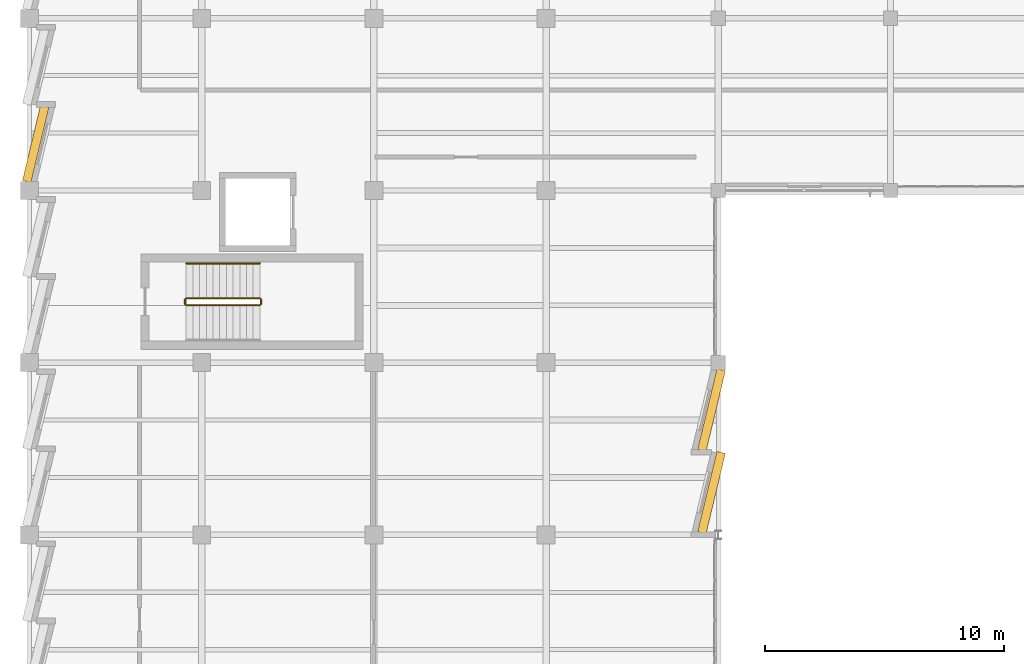
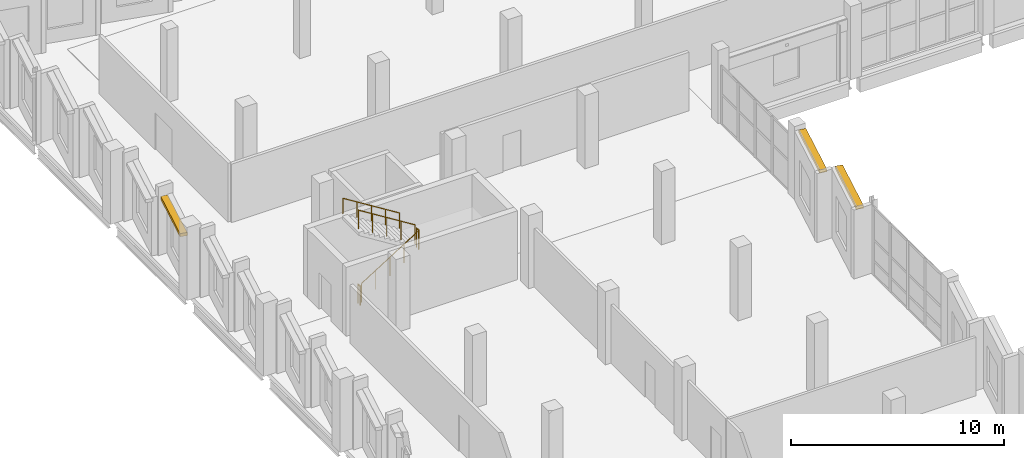
# One storey, part 86 of 94: 5 railings, 3 shading devices.
"""IFC4 building model written with IfcOpenShell, lengths in metres."""

from ifc_helpers import new_model, si_unit, direction, frame, origin, origin_2d, place, context, subcontext, project, spatial, rectangle, circle, extrude, material, layer, layer_set, type_object, element, save


model = new_model("IFC4")

# Units and contexts
model_context = context("Model", 3, precision=1e-05, world=origin(), true_north=direction((0.0, 1.0)))
body_context = subcontext(model_context, "Body", "Model", "MODEL_VIEW")
ifc_project = project(units=[si_unit("LENGTHUNIT", "METRE"), si_unit("AREAUNIT", "SQUARE_METRE"), si_unit("VOLUMEUNIT", "CUBIC_METRE"), si_unit("PLANEANGLEUNIT", "RADIAN"), si_unit("MASSUNIT", "GRAM", prefix="KILO")], contexts=[model_context])

# Site, building, storey
site_placement = place(None, origin())
site = spatial("IfcSite", under=ifc_project, at=site_placement, CompositionType="ELEMENT")
building_placement = place(site_placement, origin())
building = spatial("IfcBuilding", under=site, at=building_placement, Name="Kalmorath City Hall", CompositionType="ELEMENT")
storey_placement = place(building_placement, frame((0.0, 0.0, 14.699951171875)))
storey = spatial("IfcBuildingStorey", under=building, at=storey_placement, Name="L03", CompositionType="ELEMENT", Elevation=14.699951171875)

# Shading devices
ifc_material_1 = material(Name="Precast concrete C40/50", Category="concrete")
ifc_layer = layer(ifc_material_1, 0.179931640625)
ifc_layer_set = layer_set([ifc_layer], Name="Precast concrete C40/50")
shading_device_type = type_object("IfcShadingDeviceType", Name="Precast sawtooth brow sunshade 350", PredefinedType="USERDEFINED", material=ifc_layer_set)
shading_device_placement = place(storey_placement, frame((0.255859375, 95.541748046875, 3.15625), z_axis=(0.0, 0.0, 1.0), x_axis=(0.233445363856, 0.972369920398, 0.0)))
element("IfcShadingDevice", 1, at=shading_device_placement, inside=storey, type_object=shading_device_type, Name="L03 precast sawtooth hood #308", ObjectType="SUNSHADE", PredefinedType="USERDEFINED", context=body_context, shape_type="SweptSolid", body=[
    extrude(rectangle(XDim=3.220703125, YDim=0.360107421875, at=origin_2d()), origin(), (0.0, 0.0, 1.0), 0.179931640625),
])
for number, where, z_axis, x_axis, name in (
    (2, (28.51708984375, 84.42041015625, 3.740234375), (0.0, 0.0, 1.0), (-0.233462334877, -0.972365845859, 0.0), "L03 precast sawtooth hood #340"),
    (3, (28.51708984375, 80.970947265625, 3.740234375), (0.0, 0.0, 1.0), (-0.233462334877, -0.972365845859, 0.0), "L03 precast sawtooth hood #341"),
):
    element("IfcShadingDevice", number, at=place(storey_placement, frame(where, z_axis=z_axis, x_axis=x_axis)), inside=storey, type_object=shading_device_type, Name=name, ObjectType="SUNSHADE", PredefinedType="USERDEFINED", context=body_context, shape_type="SweptSolid", body=[
        extrude(rectangle(XDim=3.452392578125, YDim=0.360107421875, at=origin_2d()), origin(), (0.0, 0.0, 1.0), 0.179931640625),
    ])

# Railings
ifc_material_2 = material(Name="Painted steel guardrail", Category="steel")
railing_type_1 = type_object("IfcRailingType", Name="Protected stair guardrail 1100", PredefinedType="GUARDRAIL", material=ifc_material_2)
railing_1_placement = place(storey_placement, frame((6.550048828125, 88.800048828125, 0.175048828125)))
element("IfcRailing", 4, at=railing_1_placement, inside=storey, type_object=railing_type_1, Name="L03 ST-4 stair guard 1", PredefinedType="GUARDRAIL", context=body_context, shape_type="SweptSolid", body=[
    extrude(circle(Radius=0.02392578125, at=origin_2d()), frame((0.0, 0.0, 1.076171875), z_axis=(0.847979421464, 0.0, 0.530029150871), x_axis=(0.0, 1.0, 0.0)), (0.0, 0.0, 1.0), 3.632080078125),
    extrude(circle(Radius=0.02099609375, at=origin_2d()), origin(), (0.0, 0.0, 1.0), 1.052001953125),
    extrude(circle(Radius=0.02099609375, at=origin_2d()), frame((0.77001953125, 0.0, 0.481201171875)), (0.0, 0.0, 1.0), 1.052001953125),
    extrude(circle(Radius=0.02099609375, at=origin_2d()), frame((1.5400390625, 0.0, 0.96240234375)), (0.0, 0.0, 1.0), 1.052001953125),
    extrude(circle(Radius=0.02099609375, at=origin_2d()), frame((2.309814453125, 0.0, 1.44384765625)), (0.0, 0.0, 1.0), 1.052001953125),
    extrude(circle(Radius=0.02099609375, at=origin_2d()), frame((3.079833984375, 0.0, 1.925048828125)), (0.0, 0.0, 1.0), 1.052001953125),
])
railing_2_placement = place(storey_placement, frame((9.679931640625, 88.85009765625, 2.10009765625)))
element("IfcRailing", 5, at=railing_2_placement, inside=storey, type_object=railing_type_1, Name="L03 ST-4 stair guard 2", PredefinedType="GUARDRAIL", context=body_context, shape_type="SweptSolid", body=[
    extrude(circle(Radius=0.02392578125, at=origin_2d()), frame((0.0, 0.0, 1.076171875), z_axis=(0.0, 1.0, 0.0), x_axis=(-1.0, 0.0, 0.0)), (0.0, 0.0, 1.0), 0.199951171875),
    extrude(circle(Radius=0.02099609375, at=origin_2d()), origin(), (0.0, 0.0, 1.0), 1.052001953125),
    extrude(circle(Radius=0.02099609375, at=origin_2d()), frame((0.0, 0.199951171875, 0.0)), (0.0, 0.0, 1.0), 1.052001953125),
])
railing_3_placement = place(storey_placement, frame((9.6298828125, 89.10009765625, 2.275146484375)))
element("IfcRailing", 6, at=railing_3_placement, inside=storey, type_object=railing_type_1, Name="L03 ST-4 stair guard 3", PredefinedType="GUARDRAIL", context=body_context, shape_type="SweptSolid", body=[
    extrude(circle(Radius=0.02392578125, at=origin_2d()), frame((0.0, 0.0, 1.076171875), z_axis=(-0.848009633417, 0.0, 0.529980812513), x_axis=(0.0, -1.0, 0.0)), (0.0, 0.0, 1.0), 3.6318359375),
    extrude(circle(Radius=0.02099609375, at=origin_2d()), origin(), (0.0, 0.0, 1.0), 1.052001953125),
    extrude(circle(Radius=0.02099609375, at=origin_2d()), frame((-0.77001953125, 0.0, 0.481201171875)), (0.0, 0.0, 1.0), 1.052001953125),
    extrude(circle(Radius=0.02099609375, at=origin_2d()), frame((-1.5400390625, 0.0, 0.96240234375)), (0.0, 0.0, 1.0), 1.052001953125),
    extrude(circle(Radius=0.02099609375, at=origin_2d()), frame((-2.309814453125, 0.0, 1.443603515625)), (0.0, 0.0, 1.0), 1.052001953125),
    extrude(circle(Radius=0.02099609375, at=origin_2d()), frame((-3.079833984375, 0.0, 1.9248046875)), (0.0, 0.0, 1.0), 1.052001953125),
])
railing_4_placement = place(storey_placement, frame((6.5, 88.85009765625, 0.0)))
element("IfcRailing", 7, at=railing_4_placement, inside=storey, type_object=railing_type_1, Name="L03 ST-4 stair guard 4", PredefinedType="GUARDRAIL", context=body_context, shape_type="SweptSolid", body=[
    extrude(circle(Radius=0.02392578125, at=origin_2d()), frame((0.0, 0.0, 1.076171875), z_axis=(0.0, 1.0, 0.0), x_axis=(-1.0, 0.0, 0.0)), (0.0, 0.0, 1.0), 0.199951171875),
    extrude(circle(Radius=0.02099609375, at=origin_2d()), origin(), (0.0, 0.0, 1.0), 1.052001953125),
    extrude(circle(Radius=0.02099609375, at=origin_2d()), frame((0.0, 0.199951171875, 0.0)), (0.0, 0.0, 1.0), 1.052001953125),
])
ifc_material_3 = material(Name="Brushed stainless steel handrail", Category="steel")
railing_type_2 = type_object("IfcRailingType", Name="Stair pitch handrail 900", PredefinedType="HANDRAIL", material=ifc_material_3)
railing_5_placement = place(storey_placement, frame((9.6298828125, 90.550048828125, 2.275146484375)))
element("IfcRailing", 8, at=railing_5_placement, inside=storey, type_object=railing_type_2, Name="L03 ST-4 stair handrail 2", PredefinedType="HANDRAIL", context=body_context, shape_type="SweptSolid", body=[
    extrude(circle(Radius=0.02392578125, at=origin_2d()), frame((0.0, 0.0, 0.8759765625), z_axis=(-0.848009633417, 0.0, 0.529980812513), x_axis=(0.0, -1.0, 0.0)), (0.0, 0.0, 1.0), 3.6318359375),
    extrude(circle(Radius=0.02099609375, at=origin_2d()), origin(), (0.0, 0.0, 1.0), 0.851806640625),
    extrude(circle(Radius=0.02099609375, at=origin_2d()), frame((-0.77001953125, 0.0, 0.481201171875)), (0.0, 0.0, 1.0), 0.851806640625),
    extrude(circle(Radius=0.02099609375, at=origin_2d()), frame((-1.5400390625, 0.0, 0.96240234375)), (0.0, 0.0, 1.0), 0.851806640625),
    extrude(circle(Radius=0.02099609375, at=origin_2d()), frame((-2.309814453125, 0.0, 1.443603515625)), (0.0, 0.0, 1.0), 0.851806640625),
    extrude(circle(Radius=0.02099609375, at=origin_2d()), frame((-3.079833984375, 0.0, 1.9248046875)), (0.0, 0.0, 1.0), 0.851806640625),
])

save(model, "model.ifc")
